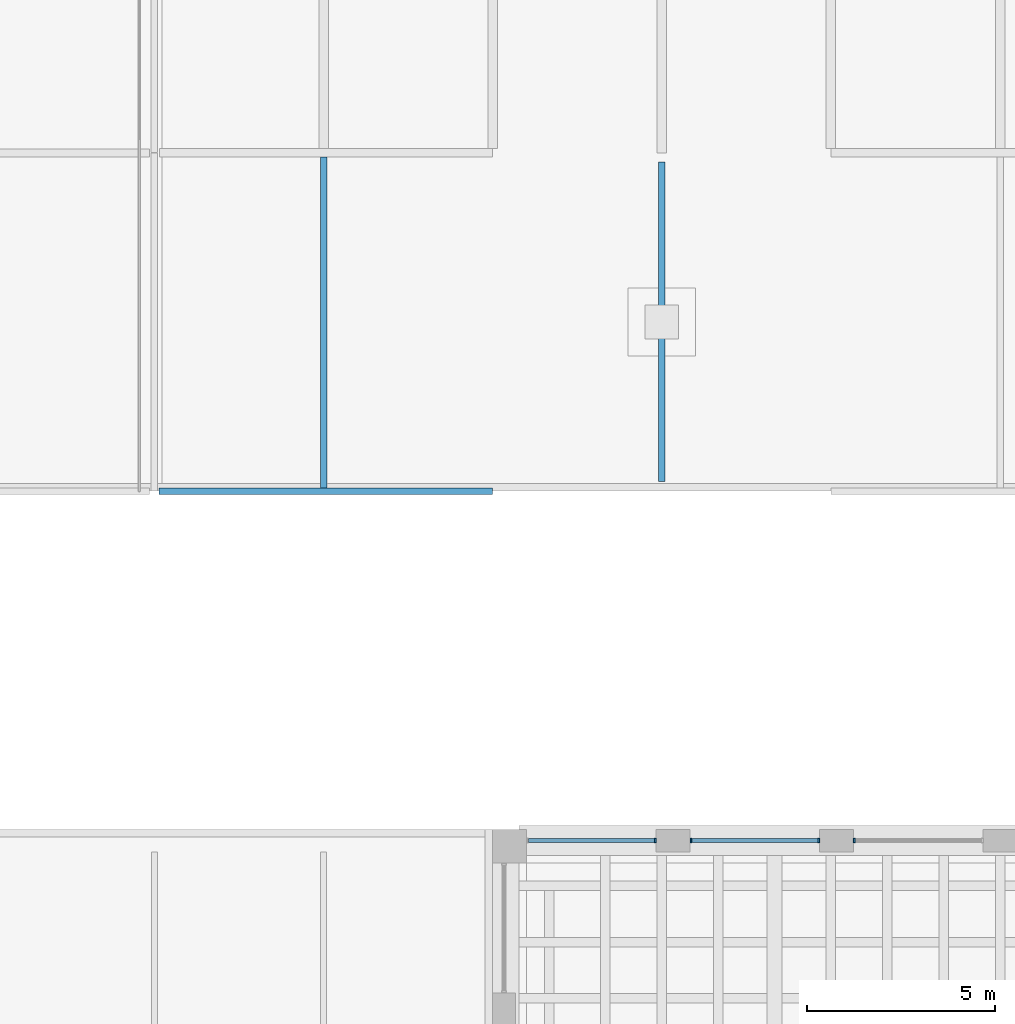
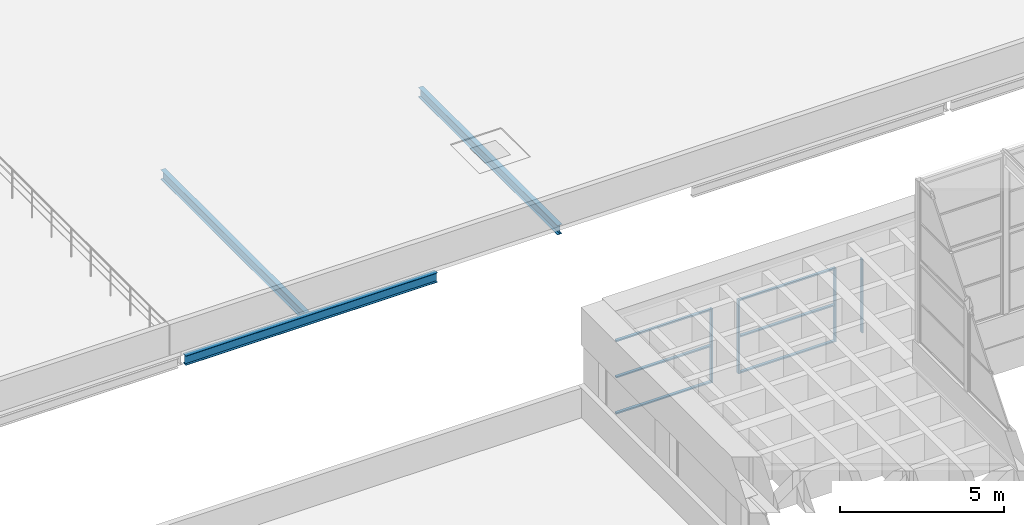
# One storey, part 23 of 50: 10 members, 3 beams, 3 elements without a shape of their own.
"""IFC4 building model written with IfcOpenShell, lengths in metres."""

from ifc_helpers import new_model, si_unit, direction, frame, origin, origin_2d, place, context, subcontext, project, spatial, rectangle, i_section, extrude, material, layer, layer_set, material_profile, profile_set, type_object, element, aggregate, save


model = new_model("IFC4")

# Units and contexts
model_context = context("Model", 3, precision=1e-05, world=origin(), true_north=direction((0.0, 1.0)))
body_context = subcontext(model_context, "Body", "Model", "MODEL_VIEW")
ifc_project = project(units=[si_unit("LENGTHUNIT", "METRE"), si_unit("AREAUNIT", "SQUARE_METRE"), si_unit("VOLUMEUNIT", "CUBIC_METRE"), si_unit("PLANEANGLEUNIT", "RADIAN"), si_unit("MASSUNIT", "GRAM", prefix="KILO")], contexts=[model_context])

# Site, building, storey
site_placement = place(None, origin())
site = spatial("IfcSite", under=ifc_project, at=site_placement, CompositionType="ELEMENT")
building_placement = place(site_placement, origin())
building = spatial("IfcBuilding", under=site, at=building_placement, Name="Corbel Yard City Hall", CompositionType="ELEMENT")
storey_placement = place(building_placement, frame((0.0, 0.0, 15.0)))
storey = spatial("IfcBuildingStorey", under=building, at=storey_placement, Name="L03", CompositionType="ELEMENT", Elevation=15.0)

# Beam
ifc_material_1 = material(Name="Steel Grade 300 (300 MPa yield)", Category="steel")
ifc_material_profile_1 = material_profile(ifc_material_1, i_section(OverallWidth=0.172119140625, OverallDepth=0.35888671875, WebThickness=0.008056640625, FlangeThickness=0.012939453125, at=origin_2d()), Name="360UB56.7")
ifc_profile_set_1 = profile_set([ifc_material_profile_1], Name="Steel Grade 300 (300 MPa yield)")
beam_type_1 = type_object("IfcBeamType", Name="Edge beam 360UB56.7", PredefinedType="BEAM", material=ifc_profile_set_1)
beam_1_placement = place(storey_placement, frame((108.126953125, 90.0, -0.32958984375), z_axis=(1.0, 0.0, 0.0), x_axis=(0.0, 1.0, 0.0)))
element("IfcBeam", 1, at=beam_1_placement, inside=storey, type_object=beam_type_1, Name="Edge beam 360UB56.7 EB4 L03roof", PredefinedType="BEAM", context=body_context, shape_type="SweptSolid", body=[
    extrude(i_section(OverallWidth=0.172119140625, OverallDepth=0.35888671875, WebThickness=0.008056640625, FlangeThickness=0.012939453125, at=origin_2d()), origin(), (0.0, 0.0, 1.0), 8.873046875),
])

# Curtain wall, member
ifc_material_2 = material(Name="Aluminium extrusion", Category="aluminium")
ifc_layer = layer(ifc_material_2, 0.1201171875)
ifc_layer_set = layer_set([ifc_layer], Name="Aluminium extrusion")
curtain_wall_type = type_object("IfcCurtainWallType", Name="CW3", PredefinedType="USERDEFINED", material=ifc_layer_set)
curtain_wall_1_placement = place(storey_placement, origin())
curtain_wall_1 = element("IfcCurtainWall", 2, at=curtain_wall_1_placement, inside=storey, type_object=curtain_wall_type, Name="Chamber clerestory glazing", ObjectType="CURTAIN WALL", PredefinedType="USERDEFINED")
ifc_material_profile_2 = material_profile(ifc_material_2, rectangle(XDim=0.1201171875, YDim=0.050048828125, at=origin_2d()), Name="120x50")
ifc_profile_set_2 = profile_set([ifc_material_profile_2], Name="Aluminium extrusion")
member_type_1 = type_object("IfcMemberType", Name="ML3", PredefinedType="MULLION", material=ifc_profile_set_2)
member_1_placement = place(storey_placement, frame((121.324951171875, 80.699951171875, -0.14990234375), z_axis=(0.0, 0.0, 1.0), x_axis=(0.0, 1.0, 0.0)))
member_1 = element("IfcMember", 3, at=member_1_placement, type_object=member_type_1, Name="CW3 mullion 2", PredefinedType="MULLION", context=body_context, shape_type="SweptSolid", body=[
    extrude(rectangle(XDim=0.1201171875, YDim=0.050048828125, at=origin_2d()), origin(), (0.0, 0.0, 1.0), 2.75),
])

# Curtain wall, members
curtain_wall_2_placement = place(storey_placement, origin())
curtain_wall_2 = element("IfcCurtainWall", 4, at=curtain_wall_2_placement, inside=storey, type_object=curtain_wall_type, Name="Chamber clerestory glazing", ObjectType="CURTAIN WALL", PredefinedType="USERDEFINED")
member_2_placement = place(storey_placement, frame((122.27490234375, 80.699951171875, -0.14990234375), z_axis=(0.0, 0.0, 1.0), x_axis=(0.0, 1.0, 0.0)))
member_2 = element("IfcMember", 5, at=member_2_placement, type_object=member_type_1, Name="CW3 mullion 1", PredefinedType="MULLION", context=body_context, shape_type="SweptSolid", body=[
    extrude(rectangle(XDim=0.1201171875, YDim=0.050048828125, at=origin_2d()), origin(), (0.0, 0.0, 1.0), 2.75),
])
member_3_placement = place(storey_placement, frame((125.675048828125, 80.699951171875, -0.14990234375), z_axis=(0.0, 0.0, 1.0), x_axis=(0.0, 1.0, 0.0)))
member_3 = element("IfcMember", 6, at=member_3_placement, type_object=member_type_1, Name="CW3 mullion 2", PredefinedType="MULLION", context=body_context, shape_type="SweptSolid", body=[
    extrude(rectangle(XDim=0.1201171875, YDim=0.050048828125, at=origin_2d()), origin(), (0.0, 0.0, 1.0), 2.75),
])

# Curtain wall, member
curtain_wall_3_placement = place(storey_placement, origin())
curtain_wall_3 = element("IfcCurtainWall", 7, at=curtain_wall_3_placement, inside=storey, type_object=curtain_wall_type, Name="Chamber clerestory glazing", ObjectType="CURTAIN WALL", PredefinedType="USERDEFINED")
member_4_placement = place(storey_placement, frame((126.625, 80.699951171875, -0.14990234375), z_axis=(0.0, 0.0, 1.0), x_axis=(0.0, 1.0, 0.0)))
member_4 = element("IfcMember", 8, at=member_4_placement, type_object=member_type_1, Name="CW3 mullion 1", PredefinedType="MULLION", context=body_context, shape_type="SweptSolid", body=[
    extrude(rectangle(XDim=0.1201171875, YDim=0.050048828125, at=origin_2d()), origin(), (0.0, 0.0, 1.0), 2.75),
])
aggregate(curtain_wall_3, [member_4])

# Beams
ifc_material_profile_3 = material_profile(ifc_material_1, i_section(OverallWidth=0.1708984375, OverallDepth=0.35205078125, WebThickness=0.0068359375, FlangeThickness=0.009765625, at=origin_2d()), Name="360UB44.7")
ifc_profile_set_3 = profile_set([ifc_material_profile_3], Name="Steel Grade 300 (300 MPa yield)")
beam_type_2 = type_object("IfcBeamType", Name="Secondary beam 360UB44.7", PredefinedType="JOIST", material=ifc_profile_set_3)
beam_2_placement = place(storey_placement, frame((112.5, 90.0859375, -0.325927734375), z_axis=(0.0, 1.0, 0.0), x_axis=(-1.0, 0.0, 0.0)))
element("IfcBeam", 9, at=beam_2_placement, inside=storey, type_object=beam_type_2, Name="Secondary beam 360UB44.7 SB11 L03roof", PredefinedType="JOIST", context=body_context, shape_type="SweptSolid", body=[
    extrude(i_section(OverallWidth=0.1708984375, OverallDepth=0.35205078125, WebThickness=0.0068359375, FlangeThickness=0.009765625, at=origin_2d()), origin(), (0.0, 0.0, 1.0), 8.799560546875),
])
beam_3_placement = place(storey_placement, frame((121.5, 90.25, -0.325927734375), z_axis=(0.0, 1.0, 0.0), x_axis=(-1.0, 0.0, 0.0)))
element("IfcBeam", 10, at=beam_3_placement, inside=storey, type_object=beam_type_2, Name="Core roof beam 360UB44.7 SB11 PC-N6", PredefinedType="JOIST", context=body_context, shape_type="SweptSolid", body=[
    extrude(i_section(OverallWidth=0.1708984375, OverallDepth=0.35205078125, WebThickness=0.0068359375, FlangeThickness=0.009765625, at=origin_2d()), origin(), (0.0, 0.0, 1.0), 8.5),
])

# Member
ifc_material_profile_4 = material_profile(ifc_material_2, rectangle(XDim=0.10009765625, YDim=0.050048828125, at=origin_2d()), Name="100x50")
ifc_profile_set_4 = profile_set([ifc_material_profile_4], Name="Aluminium extrusion")
member_type_2 = type_object("IfcMemberType", Name="TR3", PredefinedType="USERDEFINED", material=ifc_profile_set_4)
member_5_placement = place(storey_placement, frame((117.949951171875, 80.699951171875, -0.125), z_axis=(1.0, 0.0, 0.0), x_axis=(0.0, 1.0, 0.0)))
member_5 = element("IfcMember", 11, at=member_5_placement, type_object=member_type_2, Name="CW3 transom 1.1", ObjectType="TRANSOM", PredefinedType="USERDEFINED", context=body_context, shape_type="SweptSolid", body=[
    extrude(rectangle(XDim=0.10009765625, YDim=0.050048828125, at=origin_2d()), origin(), (0.0, 0.0, 1.0), 3.35009765625),
])

member_6_placement = place(storey_placement, frame((117.949951171875, 80.699951171875, 1.22509765625), z_axis=(1.0, 0.0, 0.0), x_axis=(0.0, 1.0, 0.0)))
member_6 = element("IfcMember", 12, at=member_6_placement, type_object=member_type_2, Name="CW3 transom 1.2", ObjectType="TRANSOM", PredefinedType="USERDEFINED", context=body_context, shape_type="SweptSolid", body=[
    extrude(rectangle(XDim=0.10009765625, YDim=0.050048828125, at=origin_2d()), origin(), (0.0, 0.0, 1.0), 3.35009765625),
])

member_7_placement = place(storey_placement, frame((117.949951171875, 80.699951171875, 2.574951171875), z_axis=(1.0, 0.0, 0.0), x_axis=(0.0, 1.0, 0.0)))
member_7 = element("IfcMember", 13, at=member_7_placement, type_object=member_type_2, Name="CW3 transom 1.3", ObjectType="TRANSOM", PredefinedType="USERDEFINED", context=body_context, shape_type="SweptSolid", body=[
    extrude(rectangle(XDim=0.10009765625, YDim=0.050048828125, at=origin_2d()), origin(), (0.0, 0.0, 1.0), 3.35009765625),
])

aggregate(curtain_wall_1, [member_1, member_5, member_6, member_7])

member_8_placement = place(storey_placement, frame((122.300048828125, 80.699951171875, -0.125), z_axis=(1.0, 0.0, 0.0), x_axis=(0.0, 1.0, 0.0)))
member_8 = element("IfcMember", 14, at=member_8_placement, type_object=member_type_2, Name="CW3 transom 1.1", ObjectType="TRANSOM", PredefinedType="USERDEFINED", context=body_context, shape_type="SweptSolid", body=[
    extrude(rectangle(XDim=0.10009765625, YDim=0.050048828125, at=origin_2d()), origin(), (0.0, 0.0, 1.0), 3.349853515625),
])

member_9_placement = place(storey_placement, frame((122.300048828125, 80.699951171875, 1.22509765625), z_axis=(1.0, 0.0, 0.0), x_axis=(0.0, 1.0, 0.0)))
member_9 = element("IfcMember", 15, at=member_9_placement, type_object=member_type_2, Name="CW3 transom 1.2", ObjectType="TRANSOM", PredefinedType="USERDEFINED", context=body_context, shape_type="SweptSolid", body=[
    extrude(rectangle(XDim=0.10009765625, YDim=0.050048828125, at=origin_2d()), origin(), (0.0, 0.0, 1.0), 3.349853515625),
])

member_10_placement = place(storey_placement, frame((122.300048828125, 80.699951171875, 2.574951171875), z_axis=(1.0, 0.0, 0.0), x_axis=(0.0, 1.0, 0.0)))
member_10 = element("IfcMember", 16, at=member_10_placement, type_object=member_type_2, Name="CW3 transom 1.3", ObjectType="TRANSOM", PredefinedType="USERDEFINED", context=body_context, shape_type="SweptSolid", body=[
    extrude(rectangle(XDim=0.10009765625, YDim=0.050048828125, at=origin_2d()), origin(), (0.0, 0.0, 1.0), 3.349853515625),
])

aggregate(curtain_wall_2, [member_2, member_3, member_8, member_9, member_10])

save(model, "model.ifc")
